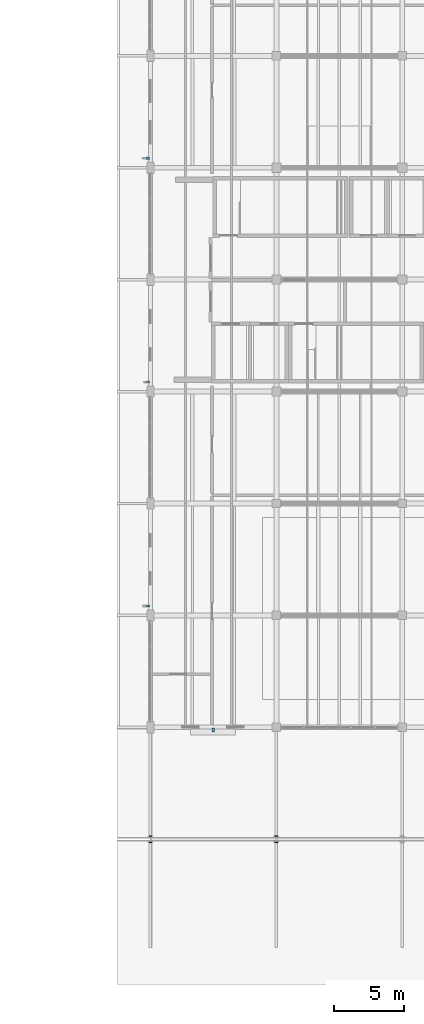
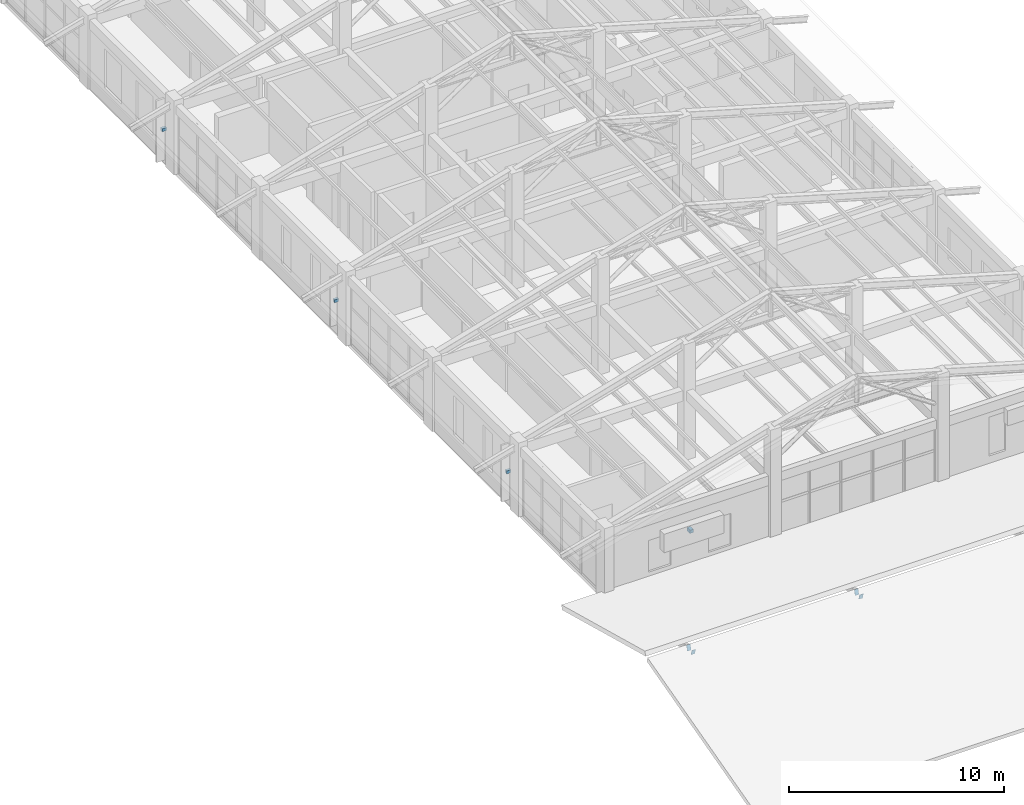
# One storey, part 50 of 58: 8 discrete accessories.
"""IFC4 building model written with IfcOpenShell, lengths in metres."""

from ifc_helpers import new_model, si_unit, derived_unit, direction, frame, origin, origin_2d, place, context, subcontext, project, spatial, rectangle, extrude, material, type_object, element, save


model = new_model("IFC4")

# Units and contexts
model_context = context("Model", 3, precision=1e-05, world=origin(), true_north=direction((0.0, 1.0)))
body_context = subcontext(model_context, "Body", "Model", "MODEL_VIEW")
ifc_project = project(units=[si_unit("LENGTHUNIT", "METRE"), si_unit("AREAUNIT", "SQUARE_METRE"), si_unit("VOLUMEUNIT", "CUBIC_METRE"), si_unit("PLANEANGLEUNIT", "RADIAN"), si_unit("MASSUNIT", "GRAM", prefix="KILO"), derived_unit("THERMALTRANSMITTANCEUNIT", [(si_unit("MASSUNIT", "GRAM", prefix="KILO"), 1), (si_unit("TIMEUNIT", "SECOND"), -3), (si_unit("THERMODYNAMICTEMPERATUREUNIT", "KELVIN"), -1)])], contexts=[model_context])

# Site, building, storey
site_placement = place(None, origin())
site = spatial("IfcSite", under=ifc_project, at=site_placement, CompositionType="ELEMENT")
building_placement = place(site_placement, origin())
building = spatial("IfcBuilding", under=site, at=building_placement, Name="Zhenchuan Archway Interchange", CompositionType="ELEMENT")
storey_placement = place(building_placement, frame((0.0, 0.0, 22.800048828125)))
storey = spatial("IfcBuildingStorey", under=building, at=storey_placement, Name="L05", CompositionType="ELEMENT", Elevation=22.800048828125)

# Discrete accessories
ifc_material_1 = material(Name="Stainless Steel 316", Category="steel")
discrete_accessory_type_1 = type_object("IfcDiscreteAccessoryType", Name="BRK_SHD_1", PredefinedType="BRACKET", material=ifc_material_1)
for number, where, z_axis, x_axis, name in (
    (1, (143.820068359375, 32.677978515625, 1.8701171875), (0.0, 0.0, 1.0), (0.0, 1.0, 0.0), "Solar fin stainless fixing bracket L05-141"),
    (2, (143.820068359375, 48.677978515625, 1.8701171875), (0.0, 0.0, 1.0), (0.0, 1.0, 0.0), "Solar fin stainless fixing bracket L05-142"),
    (3, (143.820068359375, 64.677978515625, 1.8701171875), (0.0, 0.0, 1.0), (0.0, 1.0, 0.0), "Solar fin stainless fixing bracket L05-143"),
):
    element("IfcDiscreteAccessory", number, at=place(storey_placement, frame(where, z_axis=z_axis, x_axis=x_axis)), inside=storey, type_object=discrete_accessory_type_1, Name=name, PredefinedType="BRACKET", context=body_context, shape_type="SweptSolid", body=[
        extrude(rectangle(XDim=0.159912109375, YDim=0.239990234375, at=origin_2d()), origin(), (0.0, 0.0, 1.0), 0.159912109375),
    ])
discrete_accessory_type_2 = type_object("IfcDiscreteAccessoryType", Name="BRK_SHD_2", PredefinedType="BRACKET", material=ifc_material_1)
discrete_accessory_placement = place(storey_placement, frame((148.47509765625, 23.820068359375, 2.259765625), z_axis=(0.0, 0.0, 1.0), x_axis=(-1.0, 0.0, 0.0)))
element("IfcDiscreteAccessory", 4, at=discrete_accessory_placement, inside=storey, type_object=discrete_accessory_type_2, Name="Storm-louvre stainless fixing bracket L05-140", PredefinedType="BRACKET", context=body_context, shape_type="SweptSolid", body=[
    extrude(rectangle(XDim=0.179931640625, YDim=0.280029296875, at=origin_2d()), origin(), (0.0, 0.0, 1.0), 0.179931640625),
])
ifc_material_2 = material(Name="Steel Q355", Category="steel")
discrete_accessory_type_3 = type_object("IfcDiscreteAccessoryType", Name="CAP_MB_RHS300", PredefinedType="USERDEFINED", material=ifc_material_2)
for number, where, z_axis, x_axis, name in (
    (5, (144.0, 15.780029296875, 1.85986328125), (0.0, 0.964763821238, 0.263117405792), (-1.0, 0.0, 0.0), "End plate at the end of East bar S rafter X144-1"),
    (6, (144.0, 16.19580078125, 1.866455078125), (0.0, 0.964763821238, -0.263117405792), (-1.0, 0.0, 0.0), "End plate at the start of East bar S rafter X144-2"),
    (7, (153.0, 15.780029296875, 1.85986328125), (0.0, 0.964763821238, 0.263117405792), (-1.0, 0.0, 0.0), "End plate at the end of East bar S rafter X153-1"),
    (8, (153.0, 16.19580078125, 1.866455078125), (0.0, 0.964763821238, -0.263117405792), (-1.0, 0.0, 0.0), "End plate at the start of East bar S rafter X153-2"),
):
    element("IfcDiscreteAccessory", number, at=place(storey_placement, frame(where, z_axis=z_axis, x_axis=x_axis)), inside=storey, type_object=discrete_accessory_type_3, Name=name, ObjectType="END PLATE", PredefinedType="USERDEFINED", context=body_context, shape_type="SweptSolid", body=[
        extrude(rectangle(XDim=0.199951171875, YDim=0.300048828125, at=origin_2d()), origin(), (0.0, 0.0, 1.0), 0.025146484375),
    ])

save(model, "model.ifc")
